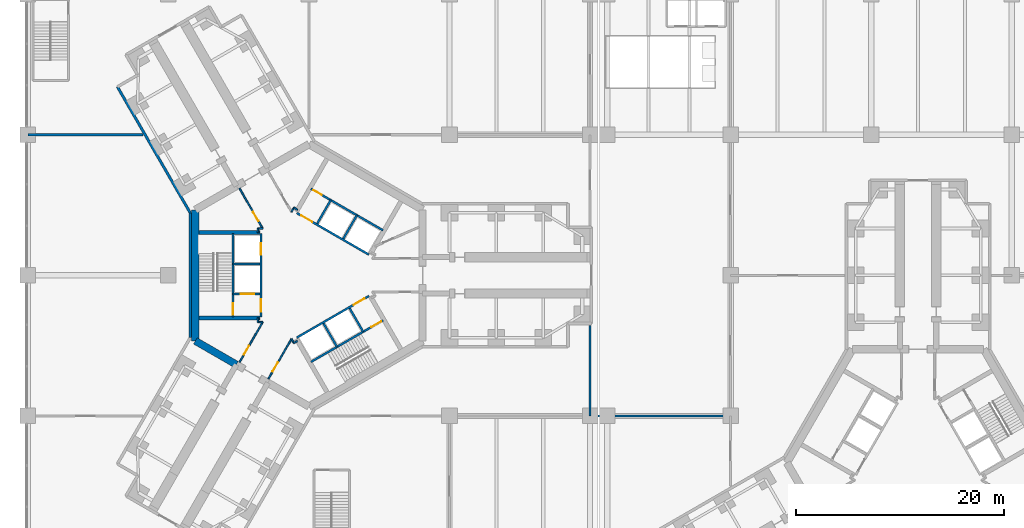
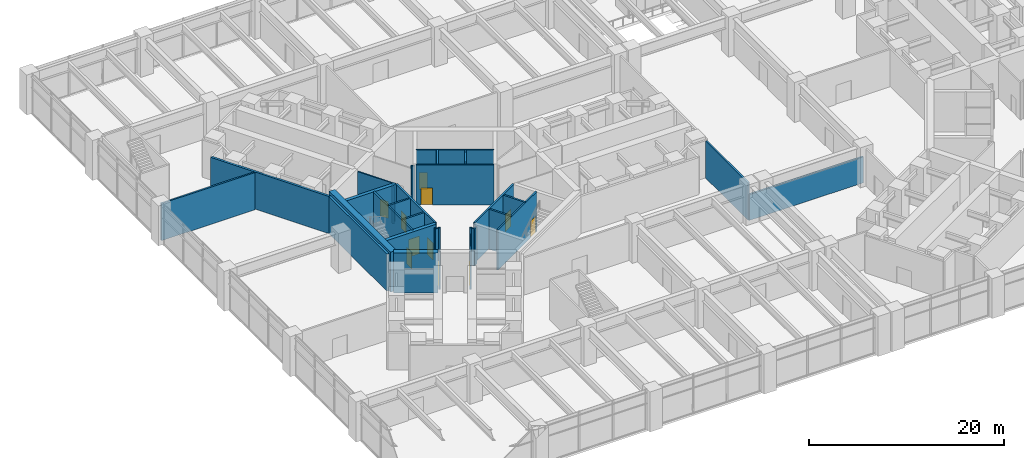
# One storey, part 22 of 32: 32 walls, 11 doors, 11 openings.
"""IFC4 building model written with IfcOpenShell, lengths in metres."""

from ifc_helpers import new_model, si_unit, direction, frame, frame_2d, origin, place, context, subcontext, project, spatial, rectangle, extrude, material, layer, layer_set, type_object, element, fill, save


model = new_model("IFC4")

# Units and contexts
model_context = context("Model", 3, precision=1e-05, world=origin(), true_north=direction((0.0, 1.0)))
body_context = subcontext(model_context, "Body", "Model", "MODEL_VIEW")
ifc_project = project(units=[si_unit("LENGTHUNIT", "METRE"), si_unit("AREAUNIT", "SQUARE_METRE"), si_unit("VOLUMEUNIT", "CUBIC_METRE"), si_unit("PLANEANGLEUNIT", "RADIAN"), si_unit("MASSUNIT", "GRAM", prefix="KILO")], contexts=[model_context])

# Site, building, storey
site_placement = place(None, origin())
site = spatial("IfcSite", under=ifc_project, at=site_placement, CompositionType="ELEMENT")
building_placement = place(site_placement, origin())
building = spatial("IfcBuilding", under=site, at=building_placement, Name="Upepo Twin Towers", CompositionType="ELEMENT")
storey_placement = place(building_placement, frame((0.0, 0.0, 5.5)))
storey = spatial("IfcBuildingStorey", under=building, at=storey_placement, Name="L01", CompositionType="ELEMENT", Elevation=5.5)

# Walls
ifc_material_1 = material(Name="Concrete C60/75", Category="concrete")
ifc_layer_1 = layer(ifc_material_1, 0.699951171875)
ifc_layer_set_1 = layer_set([ifc_layer_1], Name="Concrete C60/75")
wall_type_1 = type_object("IfcWallType", Name="Core wall 700 RC", PredefinedType="SHEAR", material=ifc_layer_set_1)
wall_1_placement = place(storey_placement, frame((-10.908447265625, 6.2978515625, 0.0), z_axis=(0.0, 0.0, 1.0), x_axis=(0.0, -1.0, 0.0)))
element("IfcWall", 1, at=wall_1_placement, inside=storey, type_object=wall_type_1, Name="T1 core wall 180", PredefinedType="SHEAR", context=body_context, shape_type="SweptSolid", body=[
    extrude(rectangle(XDim=12.595703125, YDim=0.699951171875, at=frame_2d((6.2978515625, 0.0))), origin(), (0.0, 0.0, 1.0), 5.0),
])
wall_2_placement = place(storey_placement, frame((-10.908447265625, -6.2978515625, 0.0), z_axis=(0.0, 0.0, 1.0), x_axis=(0.866034513004, -0.499984222037, 0.0)))
element("IfcWall", 2, at=wall_2_placement, inside=storey, type_object=wall_type_1, Name="T1 core wall 240 R", PredefinedType="SHEAR", context=body_context, shape_type="SweptSolid", body=[
    extrude(rectangle(XDim=4.548095703125, YDim=0.699951171875, at=frame_2d((2.27392578125, 0.0))), origin(), (0.0, 0.0, 1.0), 5.0),
])
ifc_material_2 = material(Name="Concrete blockwork", Category="masonry")
ifc_layer_2 = layer(ifc_material_2, 0.199951171875)
ifc_layer_set_2 = layer_set([ifc_layer_2], Name="Podium partition 200 blockwork")
wall_type_2 = type_object("IfcWallType", Name="Podium partition 200 blockwork", PredefinedType="PARTITIONING", material=ifc_layer_set_2)
wall_3_placement = place(storey_placement, frame((-27.0, 13.5, 0.0), z_axis=(0.0, 0.0, 1.0), x_axis=(1.0, 0.0, 0.0)))
element("IfcWall", 3, at=wall_3_placement, inside=storey, type_object=wall_type_2, Name="L01 podium wall Y04", PredefinedType="PARTITIONING", context=body_context, shape_type="SweptSolid", body=[
    extrude(rectangle(XDim=11.065185546875, YDim=0.199951171875, at=frame_2d((5.53271484375, 0.0))), origin(), (0.0, 0.0, 1.0), 4.64990234375),
])
wall_4_placement = place(storey_placement, frame((27.0, -13.5, 0.0), z_axis=(0.0, 0.0, 1.0), x_axis=(0.0, 1.0, 0.0)))
element("IfcWall", 4, at=wall_4_placement, inside=storey, type_object=wall_type_2, Name="L01 podium wall X42", PredefinedType="PARTITIONING", context=body_context, shape_type="SweptSolid", body=[
    extrude(rectangle(XDim=8.699951171875, YDim=0.199951171875, at=frame_2d((4.35009765625, 0.0))), origin(), (0.0, 0.0, 1.0), 4.64990234375),
])
wall_5_placement = place(storey_placement, frame((27.0, -13.5, 0.0), z_axis=(0.0, 0.0, 1.0), x_axis=(1.0, 0.0, 0.0)))
element("IfcWall", 5, at=wall_5_placement, inside=storey, type_object=wall_type_2, Name="L01 podium wall Y42", PredefinedType="PARTITIONING", context=body_context, shape_type="SweptSolid", body=[
    extrude(rectangle(XDim=13.5, YDim=0.199951171875, at=frame_2d((6.75, 0.0))), origin(), (0.0, 0.0, 1.0), 3.25),
])

# Wall, opening, door
ifc_material_3 = material(Name="Concrete C40/50", Category="concrete")
ifc_layer_3 = layer(ifc_material_3, 0.199951171875)
ifc_layer_set_3 = layer_set([ifc_layer_3], Name="Concrete C40/50")
wall_type_3 = type_object("IfcWallType", Name="Shaft wall 200 RC", PredefinedType="SHEAR", material=ifc_layer_set_3)
wall_6_placement = place(storey_placement, frame((5.76416015625, 1.983642578125, 0.0), z_axis=(0.0, 0.0, 1.0), x_axis=(-0.866026010844, 0.49999894854, 0.0)))
wall_6 = element("IfcWall", 6, at=wall_6_placement, inside=storey, type_object=wall_type_3, Name="T1 core W60 front wall", PredefinedType="SHEAR", context=body_context, shape_type="SweptSolid", body=[
    extrude(rectangle(XDim=8.0, YDim=0.199951171875, at=frame_2d((4.0, 0.0))), origin(), (0.0, 0.0, 1.0), 5.0),
])
opening_1_placement = place(wall_6_placement, frame((6.300048828125, 0.0, 0.0)))
opening_1 = element("IfcOpeningElement", 7, at=opening_1_placement, cuts=wall_6, Name="Opening D4", PredefinedType="OPENING", context=body_context, shape_type="SweptSolid", body=[
    extrude(rectangle(XDim=1.199951171875, YDim=2.10009765625, at=frame_2d((0.60009765625, 1.050048828125))), frame((0.0, 0.10986328125, 0.0), z_axis=(0.0, -1.0, 0.0), x_axis=(1.0, 0.0, 0.0)), (0.0, 0.0, 1.0), 0.219970703125),
])
ifc_material_4 = material(Name="Timber doorset", Category="wood")
door_type_1 = type_object("IfcDoorType", Name="Lobby door 1200 FD60", OperationType="SINGLE_SWING_LEFT", PredefinedType="DOOR", material=ifc_material_4)
door_1_placement = place(opening_1_placement, origin())
door_1 = element("IfcDoor", 8, at=door_1_placement, inside=storey, type_object=door_type_1, Name="T1 L01 W60 lobby door", OperationType="SINGLE_SWING_RIGHT", OverallHeight=2.10009765625, OverallWidth=1.199951171875, PredefinedType="DOOR", context=body_context, shape_type="SweptSolid", body=[
    extrude(rectangle(XDim=1.199951171875, YDim=2.10009765625, at=frame_2d((0.60009765625, 1.050048828125))), frame((0.0, 0.02490234375, 0.0), z_axis=(0.0, -1.0, 0.0), x_axis=(1.0, 0.0, 0.0)), (0.0, 0.0, 1.0), 0.050048828125),
])
fill(opening_1, door_1)

# Walls
for number, where, z_axis, x_axis, name in (
    (9, (3.302734375, 3.520263671875, 0.0), (0.0, 0.0, 1.0), (0.499936506574, 0.866062058628, 0.0), "T1 core W60 shaft divider"),
    (10, (0.791259765625, 4.97021484375, 0.0), (0.0, 0.0, 1.0), (0.499936506574, 0.866062058628, 0.0), "T1 core W60 lobby wall"),
):
    element("IfcWall", number, at=place(storey_placement, frame(where, z_axis=z_axis, x_axis=x_axis)), inside=storey, type_object=wall_type_3, Name=name, PredefinedType="SHEAR", context=body_context, shape_type="SweptSolid", body=[
        extrude(rectangle(XDim=2.599853515625, YDim=0.199951171875, at=frame_2d((1.2998046875, 0.0))), origin(), (0.0, 0.0, 1.0), 5.0),
    ])

# Wall, opening, door
wall_7_placement = place(storey_placement, frame((7.114013671875, 4.322021484375, 0.0), z_axis=(0.0, 0.0, 1.0), x_axis=(-0.866026010844, 0.49999894854, 0.0)))
wall_7 = element("IfcWall", 11, at=wall_7_placement, inside=storey, type_object=wall_type_3, Name="T1 core W60 stair wall", PredefinedType="SHEAR", context=body_context, shape_type="SweptSolid", body=[
    extrude(rectangle(XDim=8.0, YDim=0.199951171875, at=frame_2d((4.0, 0.0))), origin(), (0.0, 0.0, 1.0), 5.0),
])
opening_2_placement = place(wall_7_placement, frame((6.800048828125, 0.0, 0.0)))
opening_2 = element("IfcOpeningElement", 12, at=opening_2_placement, cuts=wall_7, Name="Opening D9", PredefinedType="OPENING", context=body_context, shape_type="SweptSolid", body=[
    extrude(rectangle(XDim=0.89990234375, YDim=2.10009765625, at=frame_2d((0.449951171875, 1.050048828125))), frame((0.0, 0.10986328125, 0.0), z_axis=(0.0, -1.0, 0.0), x_axis=(1.0, 0.0, 0.0)), (0.0, 0.0, 1.0), 0.219970703125),
])
ifc_material_5 = material(Name="Timber doorset", Category="wood")
door_type_2 = type_object("IfcDoorType", Name="Riser door 900 FD60", OperationType="SINGLE_SWING_LEFT", PredefinedType="DOOR", material=ifc_material_5)
door_2_placement = place(opening_2_placement, origin())
door_2 = element("IfcDoor", 13, at=door_2_placement, inside=storey, type_object=door_type_2, Name="T1 L01 riser door", OperationType="SINGLE_SWING_RIGHT", OverallHeight=2.10009765625, OverallWidth=0.89990234375, PredefinedType="DOOR", context=body_context, shape_type="SweptSolid", body=[
    extrude(rectangle(XDim=0.89990234375, YDim=2.10009765625, at=frame_2d((0.449951171875, 1.050048828125))), frame((0.0, 0.02490234375, 0.0), z_axis=(0.0, -1.0, 0.0), x_axis=(1.0, 0.0, 0.0)), (0.0, 0.0, 1.0), 0.050048828125),
])
fill(opening_2, door_2)

# Wall, openings, doors
wall_8_placement = place(storey_placement, frame((-4.60009765625, 4.0, 0.0), z_axis=(0.0, 0.0, 1.0), x_axis=(0.0, -1.0, 0.0)))
wall_8 = element("IfcWall", 14, at=wall_8_placement, inside=storey, type_object=wall_type_3, Name="T1 core W180 front wall", PredefinedType="SHEAR", context=body_context, shape_type="SweptSolid", body=[
    extrude(rectangle(XDim=8.0, YDim=0.199951171875, at=frame_2d((4.0, 0.0))), origin(), (0.0, 0.0, 1.0), 5.0),
])
opening_3_placement = place(wall_8_placement, frame((6.300048828125, 0.0, 0.0)))
opening_3 = element("IfcOpeningElement", 15, at=opening_3_placement, cuts=wall_8, Name="Opening D4", PredefinedType="OPENING", context=body_context, shape_type="SweptSolid", body=[
    extrude(rectangle(XDim=1.199951171875, YDim=2.10009765625, at=frame_2d((0.60009765625, 1.050048828125))), frame((0.0, 0.10986328125, 0.0), z_axis=(0.0, -1.0, 0.0), x_axis=(1.0, 0.0, 0.0)), (0.0, 0.0, 1.0), 0.219970703125),
])
opening_4_placement = place(wall_8_placement, frame((0.89990234375, 0.0, 0.0)))
opening_4 = element("IfcOpeningElement", 16, at=opening_4_placement, cuts=wall_8, Name="Opening LD1", PredefinedType="OPENING", context=body_context, shape_type="SweptSolid", body=[
    extrude(rectangle(XDim=1.10009765625, YDim=2.199951171875, at=frame_2d((0.550048828125, 1.10009765625))), frame((0.0, 0.10986328125, 0.0), z_axis=(0.0, -1.0, 0.0), x_axis=(1.0, 0.0, 0.0)), (0.0, 0.0, 1.0), 0.219970703125),
])
ifc_material_6 = material(Name="Steel doorset", Category="steel")
door_type_3 = type_object("IfcDoorType", Name="Lift landing door 1100", OperationType="DOUBLE_DOOR_SLIDING", PredefinedType="DOOR", material=ifc_material_6)
door_3_placement = place(opening_4_placement, origin())
door_3 = element("IfcDoor", 17, at=door_3_placement, inside=storey, type_object=door_type_3, Name="T1 L01 lift SV1 landing door", OperationType="DOUBLE_DOOR_SLIDING", OverallHeight=2.199951171875, OverallWidth=1.10009765625, PredefinedType="DOOR", context=body_context, shape_type="SweptSolid", body=[
    extrude(rectangle(XDim=1.10009765625, YDim=2.199951171875, at=frame_2d((0.550048828125, 1.10009765625))), frame((0.0, 0.02490234375, 0.0), z_axis=(0.0, -1.0, 0.0), x_axis=(1.0, 0.0, 0.0)), (0.0, 0.0, 1.0), 0.050048828125),
])
fill(opening_4, door_3)
door_4_placement = place(opening_3_placement, origin())
door_4 = element("IfcDoor", 18, at=door_4_placement, inside=storey, type_object=door_type_1, Name="T1 L01 W180 lobby door", OperationType="SINGLE_SWING_RIGHT", OverallHeight=2.10009765625, OverallWidth=1.199951171875, PredefinedType="DOOR", context=body_context, shape_type="SweptSolid", body=[
    extrude(rectangle(XDim=1.199951171875, YDim=2.10009765625, at=frame_2d((0.60009765625, 1.050048828125))), frame((0.0, 0.02490234375, 0.0), z_axis=(0.0, -1.0, 0.0), x_axis=(1.0, 0.0, 0.0)), (0.0, 0.0, 1.0), 0.050048828125),
])
fill(opening_3, door_4)

# Wall
wall_9_placement = place(storey_placement, frame((-4.699951171875, 1.10009765625, 0.0), z_axis=(0.0, 0.0, 1.0), x_axis=(-1.0, 0.0, 0.0)))
element("IfcWall", 19, at=wall_9_placement, inside=storey, type_object=wall_type_3, Name="T1 core W180 shaft divider", PredefinedType="SHEAR", context=body_context, shape_type="SweptSolid", body=[
    extrude(rectangle(XDim=2.60009765625, YDim=0.199951171875, at=frame_2d((1.300048828125, 0.0))), origin(), (0.0, 0.0, 1.0), 5.0),
])

# Wall, opening, door
wall_10_placement = place(storey_placement, frame((-4.699951171875, -1.800048828125, 0.0), z_axis=(0.0, 0.0, 1.0), x_axis=(-1.0, 0.0, 0.0)))
wall_10 = element("IfcWall", 20, at=wall_10_placement, inside=storey, type_object=wall_type_3, Name="T1 core W180 lobby wall", PredefinedType="SHEAR", context=body_context, shape_type="SweptSolid", body=[
    extrude(rectangle(XDim=2.60009765625, YDim=0.199951171875, at=frame_2d((1.300048828125, 0.0))), origin(), (0.0, 0.0, 1.0), 5.0),
])
opening_5_placement = place(wall_10_placement, frame((0.550048828125, 0.0, 0.0)))
opening_5 = element("IfcOpeningElement", 21, at=opening_5_placement, cuts=wall_10, Name="Opening LD2", PredefinedType="OPENING", context=body_context, shape_type="SweptSolid", body=[
    extrude(rectangle(XDim=1.300048828125, YDim=2.199951171875, at=frame_2d((0.64990234375, 1.10009765625))), frame((0.0, 0.10986328125, 0.0), z_axis=(0.0, -1.0, 0.0), x_axis=(1.0, 0.0, 0.0)), (0.0, 0.0, 1.0), 0.219970703125),
])
ifc_material_7 = material(Name="Steel doorset", Category="steel")
door_type_4 = type_object("IfcDoorType", Name="Firefighting lift landing door 1300", OperationType="DOUBLE_DOOR_SLIDING", PredefinedType="DOOR", material=ifc_material_7)
door_5_placement = place(opening_5_placement, origin())
door_5 = element("IfcDoor", 22, at=door_5_placement, inside=storey, type_object=door_type_4, Name="T1 L01 firefighting lift landing door", OperationType="DOUBLE_DOOR_SLIDING", OverallHeight=2.199951171875, OverallWidth=1.300048828125, PredefinedType="DOOR", context=body_context, shape_type="SweptSolid", body=[
    extrude(rectangle(XDim=1.300048828125, YDim=2.199951171875, at=frame_2d((0.64990234375, 1.10009765625))), frame((0.0, 0.02490234375, 0.0), z_axis=(0.0, -1.0, 0.0), x_axis=(1.0, 0.0, 0.0)), (0.0, 0.0, 1.0), 0.050048828125),
])
fill(opening_5, door_5)

wall_11_placement = place(storey_placement, frame((-7.300048828125, 4.0, 0.0), z_axis=(0.0, 0.0, 1.0), x_axis=(0.0, -1.0, 0.0)))
wall_11 = element("IfcWall", 23, at=wall_11_placement, inside=storey, type_object=wall_type_3, Name="T1 core W180 stair wall", PredefinedType="SHEAR", context=body_context, shape_type="SweptSolid", body=[
    extrude(rectangle(XDim=8.0, YDim=0.199951171875, at=frame_2d((4.0, 0.0))), origin(), (0.0, 0.0, 1.0), 5.0),
])
opening_6_placement = place(wall_11_placement, frame((6.699951171875, 0.0, 0.0)))
opening_6 = element("IfcOpeningElement", 24, at=opening_6_placement, cuts=wall_11, Name="Opening D3", PredefinedType="OPENING", context=body_context, shape_type="SweptSolid", body=[
    extrude(rectangle(XDim=1.10009765625, YDim=2.10009765625, at=frame_2d((0.550048828125, 1.050048828125))), frame((0.0, 0.10986328125, 0.0), z_axis=(0.0, -1.0, 0.0), x_axis=(1.0, 0.0, 0.0)), (0.0, 0.0, 1.0), 0.219970703125),
])
ifc_material_8 = material(Name="Timber doorset", Category="wood")
door_type_5 = type_object("IfcDoorType", Name="Stair door 1100 FD60", OperationType="SINGLE_SWING_LEFT", PredefinedType="DOOR", material=ifc_material_8)
door_6_placement = place(opening_6_placement, origin())
door_6 = element("IfcDoor", 25, at=door_6_placement, inside=storey, type_object=door_type_5, Name="T1 L01 stair door", OperationType="SINGLE_SWING_RIGHT", OverallHeight=2.10009765625, OverallWidth=1.10009765625, PredefinedType="DOOR", context=body_context, shape_type="SweptSolid", body=[
    extrude(rectangle(XDim=1.10009765625, YDim=2.10009765625, at=frame_2d((0.550048828125, 1.050048828125))), frame((0.0, 0.02490234375, 0.0), z_axis=(0.0, -1.0, 0.0), x_axis=(1.0, 0.0, 0.0)), (0.0, 0.0, 1.0), 0.050048828125),
])
fill(opening_6, door_6)

wall_12_placement = place(storey_placement, frame((-1.1640625, -5.983642578125, 0.0), z_axis=(0.0, 0.0, 1.0), x_axis=(0.866026010844, 0.49999894854, 0.0)))
wall_12 = element("IfcWall", 26, at=wall_12_placement, inside=storey, type_object=wall_type_3, Name="T1 core W300 front wall", PredefinedType="SHEAR", context=body_context, shape_type="SweptSolid", body=[
    extrude(rectangle(XDim=8.0, YDim=0.199951171875, at=frame_2d((4.0, 0.0))), origin(), (0.0, 0.0, 1.0), 5.0),
])
opening_7_placement = place(wall_12_placement, frame((6.300048828125, 0.0, 0.0)))
opening_7 = element("IfcOpeningElement", 27, at=opening_7_placement, cuts=wall_12, Name="Opening D4", PredefinedType="OPENING", context=body_context, shape_type="SweptSolid", body=[
    extrude(rectangle(XDim=1.199951171875, YDim=2.10009765625, at=frame_2d((0.60009765625, 1.050048828125))), frame((0.0, 0.10986328125, 0.0), z_axis=(0.0, -1.0, 0.0), x_axis=(1.0, 0.0, 0.0)), (0.0, 0.0, 1.0), 0.219970703125),
])
door_7_placement = place(opening_7_placement, origin())
door_7 = element("IfcDoor", 28, at=door_7_placement, inside=storey, type_object=door_type_1, Name="T1 L01 W300 lobby door", OperationType="SINGLE_SWING_RIGHT", OverallHeight=2.10009765625, OverallWidth=1.199951171875, PredefinedType="DOOR", context=body_context, shape_type="SweptSolid", body=[
    extrude(rectangle(XDim=1.199951171875, YDim=2.10009765625, at=frame_2d((0.60009765625, 1.050048828125))), frame((0.0, 0.02490234375, 0.0), z_axis=(0.0, -1.0, 0.0), x_axis=(1.0, 0.0, 0.0)), (0.0, 0.0, 1.0), 0.050048828125),
])
fill(opening_7, door_7)

# Walls
wall_13_placement = place(storey_placement, frame((1.3974609375, -4.620361328125, 0.0), z_axis=(0.0, 0.0, 1.0), x_axis=(0.499936506574, -0.866062058628, 0.0)))
element("IfcWall", 29, at=wall_13_placement, inside=storey, type_object=wall_type_3, Name="T1 core W300 shaft divider", PredefinedType="SHEAR", context=body_context, shape_type="SweptSolid", body=[
    extrude(rectangle(XDim=2.599853515625, YDim=0.199951171875, at=frame_2d((1.2998046875, 0.0))), origin(), (0.0, 0.0, 1.0), 5.0),
])
wall_14_placement = place(storey_placement, frame((3.908935546875, -3.17041015625, 0.0), z_axis=(0.0, 0.0, 1.0), x_axis=(0.49997716683, -0.86603858612, 0.0)))
element("IfcWall", 30, at=wall_14_placement, inside=storey, type_object=wall_type_3, Name="T1 core W300 lobby wall", PredefinedType="SHEAR", context=body_context, shape_type="SweptSolid", body=[
    extrude(rectangle(XDim=2.599609375, YDim=0.199951171875, at=frame_2d((1.2998046875, 0.0))), origin(), (0.0, 0.0, 1.0), 5.0),
])

# Wall, opening, door
wall_15_placement = place(storey_placement, frame((0.185791015625, -8.322021484375, 0.0), z_axis=(0.0, 0.0, 1.0), x_axis=(0.866026010844, 0.49999894854, 0.0)))
wall_15 = element("IfcWall", 31, at=wall_15_placement, inside=storey, type_object=wall_type_3, Name="T1 core W300 stair wall", PredefinedType="SHEAR", context=body_context, shape_type="SweptSolid", body=[
    extrude(rectangle(XDim=8.0, YDim=0.199951171875, at=frame_2d((4.0, 0.0))), origin(), (0.0, 0.0, 1.0), 5.0),
])
opening_8_placement = place(wall_15_placement, frame((6.699951171875, 0.0, 0.0)))
opening_8 = element("IfcOpeningElement", 32, at=opening_8_placement, cuts=wall_15, Name="Opening D3", PredefinedType="OPENING", context=body_context, shape_type="SweptSolid", body=[
    extrude(rectangle(XDim=1.10009765625, YDim=2.10009765625, at=frame_2d((0.550048828125, 1.050048828125))), frame((0.0, 0.10986328125, 0.0), z_axis=(0.0, -1.0, 0.0), x_axis=(1.0, 0.0, 0.0)), (0.0, 0.0, 1.0), 0.219970703125),
])
door_8_placement = place(opening_8_placement, origin())
door_8 = element("IfcDoor", 33, at=door_8_placement, inside=storey, type_object=door_type_5, Name="T1 L01 stair door", OperationType="SINGLE_SWING_RIGHT", OverallHeight=2.10009765625, OverallWidth=1.10009765625, PredefinedType="DOOR", context=body_context, shape_type="SweptSolid", body=[
    extrude(rectangle(XDim=1.10009765625, YDim=2.10009765625, at=frame_2d((0.550048828125, 1.050048828125))), frame((0.0, 0.02490234375, 0.0), z_axis=(0.0, -1.0, 0.0), x_axis=(1.0, 0.0, 0.0)), (0.0, 0.0, 1.0), 0.050048828125),
])
fill(opening_8, door_8)

# Walls
ifc_material_9 = material(Name="Concrete C40/50", Category="concrete")
ifc_layer_4 = layer(ifc_material_9, 0.39990234375)
ifc_layer_set_4 = layer_set([ifc_layer_4], Name="Concrete C40/50")
wall_type_4 = type_object("IfcWallType", Name="Shaft wall 400 RC", PredefinedType="SHEAR", material=ifc_layer_set_4)
for number, where, z_axis, x_axis, name in (
    (34, (-4.699951171875, -4.10009765625, 0.0), (0.0, 0.0, 1.0), (-1.0, 0.0, 0.0), "T1 core W180 side wall N"),
    (35, (-4.699951171875, 4.10009765625, 0.0), (0.0, 0.0, 1.0), (-1.0, 0.0, 0.0), "T1 core W180 side wall S"),
):
    element("IfcWall", number, at=place(storey_placement, frame(where, z_axis=z_axis, x_axis=x_axis)), inside=storey, type_object=wall_type_4, Name=name, PredefinedType="SHEAR", context=body_context, shape_type="SweptSolid", body=[
        extrude(rectangle(XDim=5.8583984375, YDim=0.39990234375, at=frame_2d((2.92919921875, 0.0))), origin(), (0.0, 0.0, 1.0), 5.0),
    ])
ifc_material_10 = material(Name="Gypsum board on steel studs", Category="steel")
ifc_layer_5 = layer(ifc_material_10, 0.14990234375)
ifc_layer_set_5 = layer_set([ifc_layer_5], Name="Teaching partition 150 acoustic")
wall_type_5 = type_object("IfcWallType", Name="Teaching partition 150 acoustic", PredefinedType="PARTITIONING", material=ifc_layer_set_5)
wall_16_placement = place(storey_placement, frame((-1.092041015625, -6.28857421875, 0.0), z_axis=(0.0, 0.0, 1.0), x_axis=(-0.866138304741, -0.499804398801, 0.0)))
element("IfcWall", 36, at=wall_16_placement, inside=storey, type_object=wall_type_5, Name="T1 core room partition 2", PredefinedType="PARTITIONING", context=body_context, shape_type="SweptSolid", body=[
    extrude(rectangle(XDim=0.429931640625, YDim=0.14990234375, at=frame_2d((0.21484375, 0.0))), origin(), (0.0, 0.0, 1.0), 4.64990234375),
])
wall_17_placement = place(storey_placement, frame((-1.43701171875, -6.5107421875, 0.0), z_axis=(0.0, 0.0, 1.0), x_axis=(-0.50033519877, 0.865831790172, 0.0)))
element("IfcWall", 37, at=wall_17_placement, inside=storey, type_object=wall_type_5, Name="T1 core room partition 3", PredefinedType="PARTITIONING", context=body_context, shape_type="SweptSolid", body=[
    extrude(rectangle(XDim=0.494384765625, YDim=0.14990234375, at=frame_2d((0.2470703125, 0.0))), origin(), (0.0, 0.0, 1.0), 4.64990234375),
])

# Wall, opening, door
wall_18_placement = place(storey_placement, frame((-1.664306640625, -6.082763671875, 0.0), z_axis=(0.0, 0.0, 1.0), x_axis=(-0.499999927604, -0.866025445582, 0.0)))
wall_18 = element("IfcWall", 38, at=wall_18_placement, inside=storey, type_object=wall_type_5, Name="T1 core room partition 4", PredefinedType="PARTITIONING", context=body_context, shape_type="SweptSolid", body=[
    extrude(rectangle(XDim=4.46826171875, YDim=0.14990234375, at=frame_2d((2.234130859375, 0.0))), origin(), (0.0, 0.0, 1.0), 4.64990234375),
])
opening_9_placement = place(wall_18_placement, frame((2.634033203125, 0.0, 0.0)))
opening_9 = element("IfcOpeningElement", 39, at=opening_9_placement, cuts=wall_18, Name="Opening D1", PredefinedType="OPENING", context=body_context, shape_type="SweptSolid", body=[
    extrude(rectangle(XDim=1.0, YDim=2.10009765625, at=frame_2d((0.5, 1.050048828125))), frame((0.0, 0.0849609375, 0.0), z_axis=(0.0, -1.0, 0.0), x_axis=(1.0, 0.0, 0.0)), (0.0, 0.0, 1.0), 0.169921875),
])
ifc_material_11 = material(Name="Timber doorset", Category="wood")
door_type_6 = type_object("IfcDoorType", Name="Room door 1000 FD30", OperationType="SINGLE_SWING_LEFT", PredefinedType="DOOR", material=ifc_material_11)
door_9_placement = place(opening_9_placement, origin())
door_9 = element("IfcDoor", 40, at=door_9_placement, inside=storey, type_object=door_type_6, Name="T1 L01 core room door K2", OperationType="SINGLE_SWING_RIGHT", OverallHeight=2.10009765625, OverallWidth=1.0, PredefinedType="DOOR", context=body_context, shape_type="SweptSolid", body=[
    extrude(rectangle(XDim=1.0, YDim=2.10009765625, at=frame_2d((0.5, 1.050048828125))), frame((0.0, 0.02490234375, 0.0), z_axis=(0.0, -1.0, 0.0), x_axis=(1.0, 0.0, 0.0)), (0.0, 0.0, 1.0), 0.050048828125),
])
fill(opening_9, door_9)

wall_19_placement = place(storey_placement, frame((-6.669921875, -8.3525390625, 0.0), z_axis=(0.0, 0.0, 1.0), x_axis=(0.500017246033, 0.866015446554, 0.0)))
wall_19 = element("IfcWall", 41, at=wall_19_placement, inside=storey, type_object=wall_type_5, Name="T1 core room partition 5", PredefinedType="PARTITIONING", context=body_context, shape_type="SweptSolid", body=[
    extrude(rectangle(XDim=4.468505859375, YDim=0.14990234375, at=frame_2d((2.234375, 0.0))), origin(), (0.0, 0.0, 1.0), 4.64990234375),
])
opening_10_placement = place(wall_19_placement, frame((0.83447265625, 0.0, 0.0)))
opening_10 = element("IfcOpeningElement", 42, at=opening_10_placement, cuts=wall_19, Name="Opening D1", PredefinedType="OPENING", context=body_context, shape_type="SweptSolid", body=[
    extrude(rectangle(XDim=1.0, YDim=2.10009765625, at=frame_2d((0.5, 1.050048828125))), frame((0.0, 0.0849609375, 0.0), z_axis=(0.0, -1.0, 0.0), x_axis=(1.0, 0.0, 0.0)), (0.0, 0.0, 1.0), 0.169921875),
])
door_10_placement = place(opening_10_placement, origin())
door_10 = element("IfcDoor", 43, at=door_10_placement, inside=storey, type_object=door_type_6, Name="T1 L01 core room door K1", OperationType="SINGLE_SWING_LEFT", OverallHeight=2.10009765625, OverallWidth=1.0, PredefinedType="DOOR", context=body_context, shape_type="SweptSolid", body=[
    extrude(rectangle(XDim=1.0, YDim=2.10009765625, at=frame_2d((0.5, 1.050048828125))), frame((0.0, 0.02490234375, 0.0), z_axis=(0.0, -1.0, 0.0), x_axis=(1.0, 0.0, 0.0)), (0.0, 0.0, 1.0), 0.050048828125),
])
fill(opening_10, door_10)

# Walls
wall_20_placement = place(storey_placement, frame((-4.425537109375, -4.5, 0.0), z_axis=(0.0, 0.0, 1.0), x_axis=(-1.0, 0.0, 0.0)))
element("IfcWall", 44, at=wall_20_placement, inside=storey, type_object=wall_type_5, Name="T1 core room partition 6", PredefinedType="PARTITIONING", context=body_context, shape_type="SweptSolid", body=[
    extrude(rectangle(XDim=0.494384765625, YDim=0.14990234375, at=frame_2d((0.2470703125, 0.0))), origin(), (0.0, 0.0, 1.0), 4.64990234375),
])
for number, where, z_axis, x_axis, name in (
    (45, (-4.89990234375, -4.52001953125, 0.0), (0.0, 0.0, 1.0), (0.0, 1.0, 0.0), "T1 core room partition 7"),
    (46, (-4.89990234375, 4.090087890625, 0.0), (0.0, 0.0, 1.0), (0.0, 1.0, 0.0), "T1 core room partition 8"),
):
    element("IfcWall", number, at=place(storey_placement, frame(where, z_axis=z_axis, x_axis=x_axis)), inside=storey, type_object=wall_type_5, Name=name, PredefinedType="PARTITIONING", context=body_context, shape_type="SweptSolid", body=[
        extrude(rectangle(XDim=0.429931640625, YDim=0.14990234375, at=frame_2d((0.21484375, 0.0))), origin(), (0.0, 0.0, 1.0), 4.64990234375),
    ])
wall_21_placement = place(storey_placement, frame((-4.919921875, 4.5, 0.0), z_axis=(0.0, 0.0, 1.0), x_axis=(1.0, 0.0, 0.0)))
element("IfcWall", 47, at=wall_21_placement, inside=storey, type_object=wall_type_5, Name="T1 core room partition 9", PredefinedType="PARTITIONING", context=body_context, shape_type="SweptSolid", body=[
    extrude(rectangle(XDim=0.494384765625, YDim=0.14990234375, at=frame_2d((0.2470703125, 0.0))), origin(), (0.0, 0.0, 1.0), 4.64990234375),
])

# Wall, opening, door
wall_22_placement = place(storey_placement, frame((-4.435546875, 4.482666015625, 0.0), z_axis=(0.0, 0.0, 1.0), x_axis=(-0.500017246033, 0.866015446554, 0.0)))
wall_22 = element("IfcWall", 48, at=wall_22_placement, inside=storey, type_object=wall_type_5, Name="T1 core room partition 10", PredefinedType="PARTITIONING", context=body_context, shape_type="SweptSolid", body=[
    extrude(rectangle(XDim=4.468505859375, YDim=0.14990234375, at=frame_2d((2.234375, 0.0))), origin(), (0.0, 0.0, 1.0), 4.64990234375),
])
opening_11_placement = place(wall_22_placement, frame((0.854736328125, 0.0, 0.0)))
opening_11 = element("IfcOpeningElement", 49, at=opening_11_placement, cuts=wall_22, Name="Opening D1", PredefinedType="OPENING", context=body_context, shape_type="SweptSolid", body=[
    extrude(rectangle(XDim=1.0, YDim=2.10009765625, at=frame_2d((0.5, 1.050048828125))), frame((0.0, 0.0849609375, 0.0), z_axis=(0.0, -1.0, 0.0), x_axis=(1.0, 0.0, 0.0)), (0.0, 0.0, 1.0), 0.169921875),
])
door_11_placement = place(opening_11_placement, origin())
door_11 = element("IfcDoor", 50, at=door_11_placement, inside=storey, type_object=door_type_6, Name="T1 L01 core room door K7", OperationType="SINGLE_SWING_LEFT", OverallHeight=2.10009765625, OverallWidth=1.0, PredefinedType="DOOR", context=body_context, shape_type="SweptSolid", body=[
    extrude(rectangle(XDim=1.0, YDim=2.10009765625, at=frame_2d((0.5, 1.050048828125))), frame((0.0, 0.02490234375, 0.0), z_axis=(0.0, -1.0, 0.0), x_axis=(1.0, 0.0, 0.0)), (0.0, 0.0, 1.0), 0.050048828125),
])
fill(opening_11, door_11)

# Walls
wall_23_placement = place(storey_placement, frame((-1.684326171875, 6.082763671875, 0.0), z_axis=(0.0, 0.0, 1.0), x_axis=(0.50033519877, 0.865831790172, 0.0)))
element("IfcWall", 51, at=wall_23_placement, inside=storey, type_object=wall_type_5, Name="T1 core room partition 12", PredefinedType="PARTITIONING", context=body_context, shape_type="SweptSolid", body=[
    extrude(rectangle(XDim=0.494384765625, YDim=0.14990234375, at=frame_2d((0.2470703125, 0.0))), origin(), (0.0, 0.0, 1.0), 4.64990234375),
])
wall_24_placement = place(storey_placement, frame((-1.46435546875, 6.50341796875, 0.0), z_axis=(0.0, 0.0, 1.0), x_axis=(0.866138304741, -0.499804398801, 0.0)))
element("IfcWall", 52, at=wall_24_placement, inside=storey, type_object=wall_type_5, Name="T1 core room partition 13", PredefinedType="PARTITIONING", context=body_context, shape_type="SweptSolid", body=[
    extrude(rectangle(XDim=0.429931640625, YDim=0.14990234375, at=frame_2d((0.21484375, 0.0))), origin(), (0.0, 0.0, 1.0), 4.64990234375),
])
ifc_material_12 = material(Name="Concrete blockwork", Category="masonry")
ifc_layer_6 = layer(ifc_material_12, 0.25)
ifc_layer_set_6 = layer_set([ifc_layer_6], Name="Tower enclosure wall 250 blockwork")
wall_type_6 = type_object("IfcWallType", Name="Tower enclosure wall 250 blockwork", PredefinedType="STANDARD", material=ifc_layer_set_6)
wall_25_placement = place(storey_placement, frame((-11.38330078125, -5.966552734375, 0.0), z_axis=(0.0, 0.0, 1.0), x_axis=(0.0, 1.0, 0.0)))
element("IfcWall", 53, at=wall_25_placement, inside=storey, type_object=wall_type_6, Name="T1 L01 enclosure wall 6", PredefinedType="STANDARD", context=body_context, shape_type="SweptSolid", body=[
    extrude(rectangle(XDim=11.93310546875, YDim=0.25, at=frame_2d((5.966552734375, 0.0))), origin(), (0.0, 0.0, 1.0), 4.64990234375),
])
wall_26_placement = place(storey_placement, frame((-11.38330078125, 5.966552734375, 0.0), z_axis=(0.0, 0.0, 1.0), x_axis=(-0.499996367808, 0.866027500821, 0.0)))
element("IfcWall", 54, at=wall_26_placement, inside=storey, type_object=wall_type_6, Name="T1 L01 enclosure wall 7", PredefinedType="STANDARD", context=body_context, shape_type="SweptSolid", body=[
    extrude(rectangle(XDim=14.01611328125, YDim=0.25, at=frame_2d((7.008056640625, 0.0))), origin(), (0.0, 0.0, 1.0), 4.64990234375),
])

save(model, "model.ifc")
